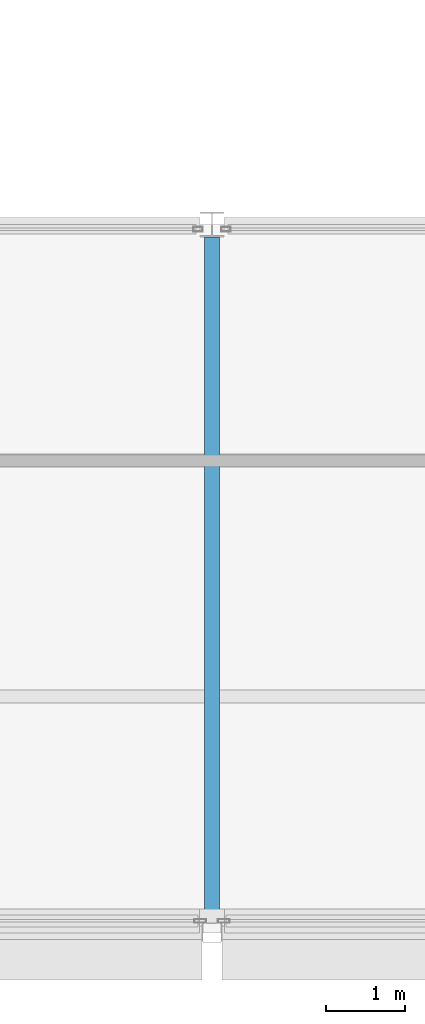
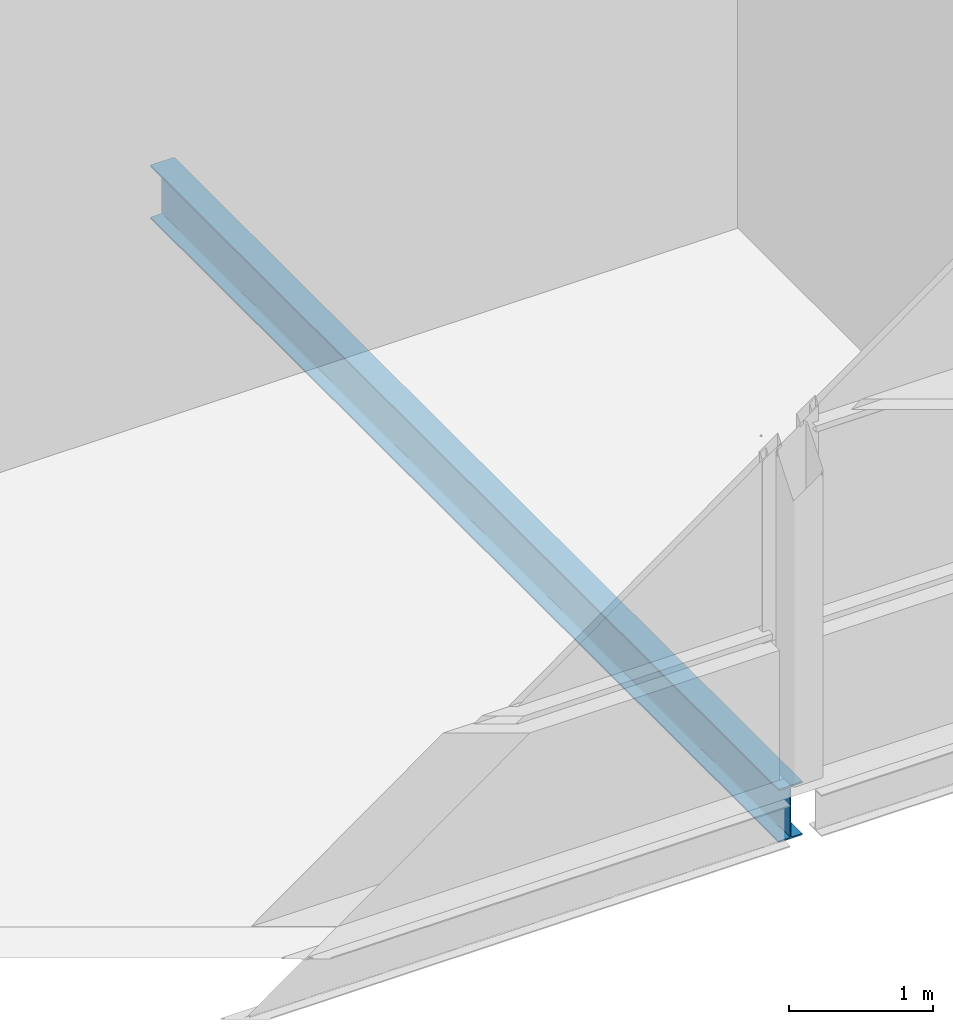
# One storey, part 30 of 61: 1 beam.
"""IFC4 building model written with IfcOpenShell, lengths in metres."""

from ifc_helpers import new_model, si_unit, direction, frame, origin, origin_2d, place, context, subcontext, project, spatial, i_section, extrude, material, material_profile, profile_set, type_object, element, save


model = new_model("IFC4")

# Units and contexts
model_context = context("Model", 3, precision=1e-05, world=origin(), true_north=direction((0.0, 1.0)))
body_context = subcontext(model_context, "Body", "Model", "MODEL_VIEW")
ifc_project = project(units=[si_unit("LENGTHUNIT", "METRE"), si_unit("AREAUNIT", "SQUARE_METRE"), si_unit("VOLUMEUNIT", "CUBIC_METRE"), si_unit("PLANEANGLEUNIT", "RADIAN"), si_unit("MASSUNIT", "GRAM", prefix="KILO")], contexts=[model_context])

# Site, building, storey
site_placement = place(None, origin())
site = spatial("IfcSite", under=ifc_project, at=site_placement, CompositionType="ELEMENT")
building_placement = place(site_placement, origin())
building = spatial("IfcBuilding", under=site, at=building_placement, Name="Shorebreak Coast Museum", CompositionType="ELEMENT")
storey_placement = place(building_placement, frame((0.0, 0.0, 26.0)))
storey = spatial("IfcBuildingStorey", under=building, at=storey_placement, Name="L04", CompositionType="ELEMENT", Elevation=26.0)

# Beam
ifc_material = material(Name="Steel Grade 300", Category="steel")
ifc_material_profile = material_profile(ifc_material, i_section(OverallWidth=0.18994140625, OverallDepth=0.453857421875, WebThickness=0.008544921875, FlangeThickness=0.0126953125, FilletRadius=0.011474609375, at=origin_2d()), Name="460UB67.1")
ifc_profile_set = profile_set([ifc_material_profile], Name="Steel Grade 300")
beam_type = type_object("IfcBeamType", Name="Floor girder north-south 460UB67.1", PredefinedType="BEAM", material=ifc_profile_set)
beam_placement = place(storey_placement, frame((99.0, 54.125, -0.40185546875), z_axis=(0.0, 1.0, 0.0), x_axis=(-1.0, 0.0, 0.0)))
element("IfcBeam", 1, at=beam_placement, inside=storey, type_object=beam_type, Name="Floor girder north-south L04 12G", PredefinedType="BEAM", context=body_context, shape_type="SweptSolid", body=[
    extrude(i_section(OverallWidth=0.18994140625, OverallDepth=0.453857421875, WebThickness=0.008544921875, FlangeThickness=0.0126953125, FilletRadius=0.011474609375, at=origin_2d()), origin(), (0.0, 0.0, 1.0), 8.714599609375),
])

save(model, "model.ifc")
